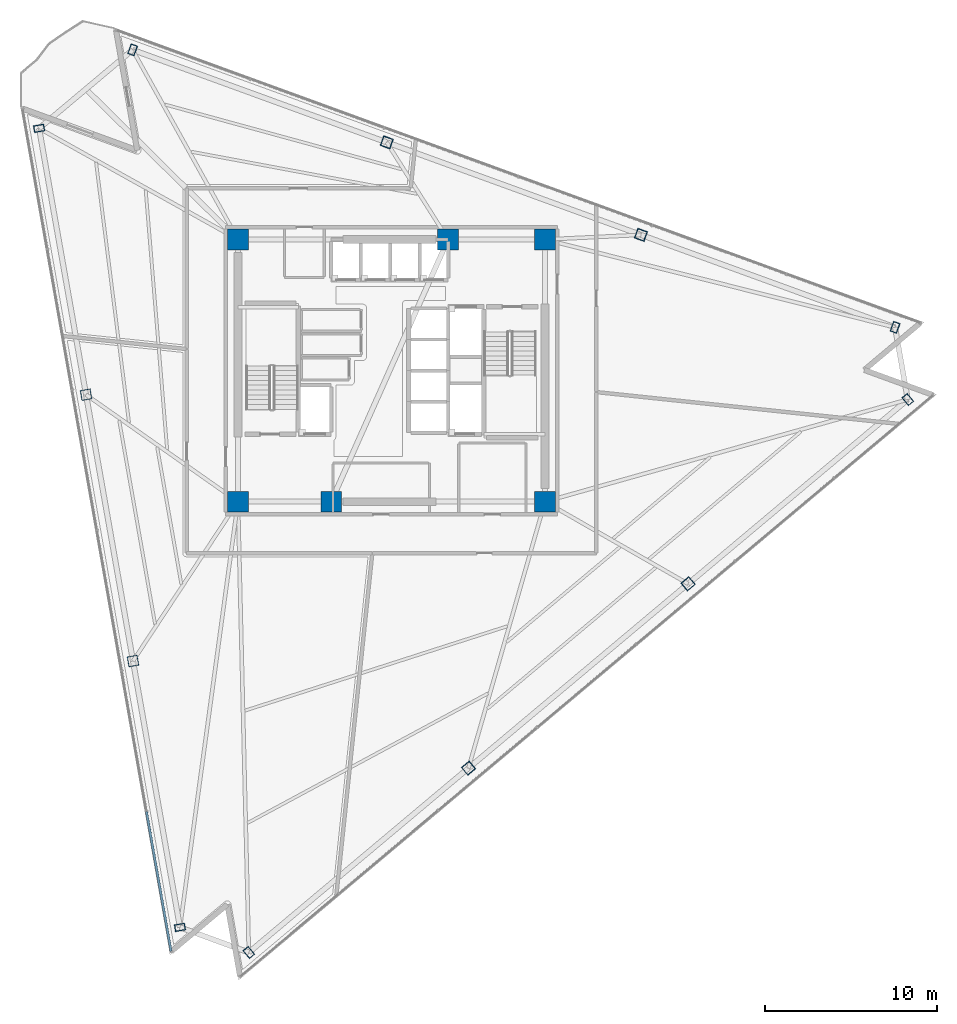
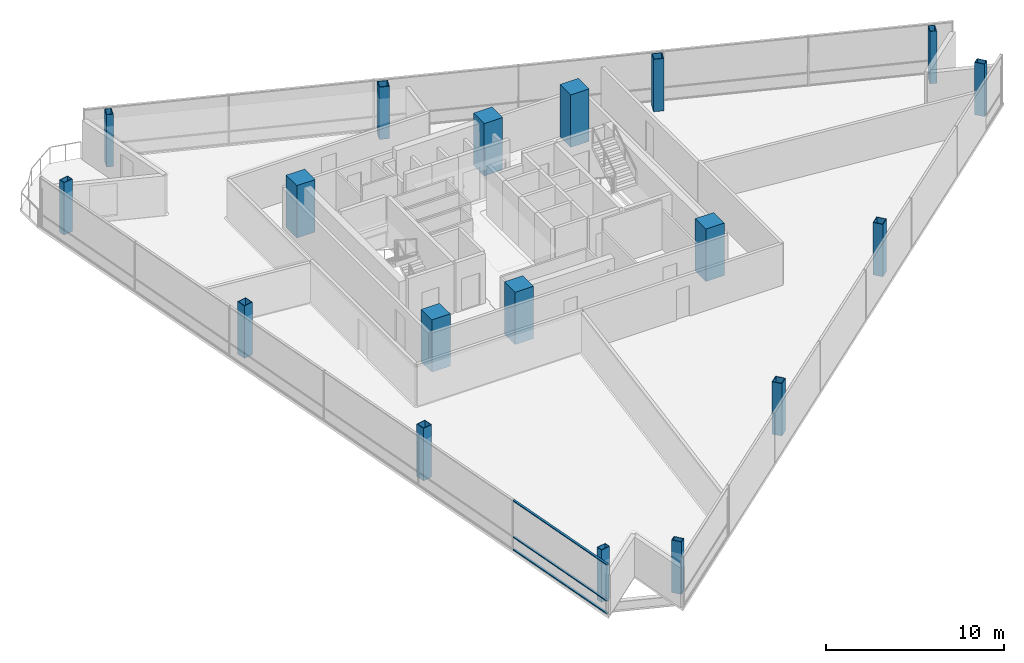
# One storey, part 1 of 17: 18 columns, 3 members, 1 element without a shape of its own.
"""IFC4 building model written with IfcOpenShell, lengths in metres."""

from ifc_helpers import new_model, si_unit, direction, frame, origin, origin_2d, place, context, subcontext, project, spatial, rectangle, hollow_rectangle, extrude, material, layer, layer_set, material_profile, profile_set, type_object, element, aggregate, save


model = new_model("IFC4")

# Units and contexts
model_context = context("Model", 3, precision=1e-05, world=origin(), true_north=direction((0.0, 1.0)))
body_context = subcontext(model_context, "Body", "Model", "MODEL_VIEW")
ifc_project = project(units=[si_unit("LENGTHUNIT", "METRE"), si_unit("AREAUNIT", "SQUARE_METRE"), si_unit("VOLUMEUNIT", "CUBIC_METRE"), si_unit("PLANEANGLEUNIT", "RADIAN"), si_unit("MASSUNIT", "GRAM", prefix="KILO")], contexts=[model_context])

# Site, building, storey
site_placement = place(None, origin())
site = spatial("IfcSite", under=ifc_project, at=site_placement, CompositionType="ELEMENT")
building_placement = place(site_placement, origin())
building = spatial("IfcBuilding", under=site, at=building_placement, Name="Tharavind Bronze Gate", CompositionType="ELEMENT")
storey_placement = place(building_placement, frame((0.0, 0.0, 184.89990234375)))
storey = spatial("IfcBuildingStorey", under=building, at=storey_placement, Name="L47", CompositionType="ELEMENT", Elevation=184.89990234375)

# Columns
ifc_material_1 = material(Name="Steel S460", Category="steel")
ifc_material_profile_1 = material_profile(ifc_material_1, hollow_rectangle(XDim=0.39990234375, YDim=0.60009765625, WallThickness=0.030029296875, at=origin_2d()), Name="RHS600X400X30")
ifc_profile_set_1 = profile_set([ifc_material_profile_1], Name="Steel S460")
column_type_1 = type_object("IfcColumnType", Name="CORNER NOTCH COLUMN RHS600X400", PredefinedType="COLUMN", material=ifc_profile_set_1)
for number, where, z_axis, x_axis, name in (
    (1, (-20.4326171875, 14.043212890625, 0.0), (0.0, 0.0, 1.0), (-0.173648177667, 0.984807753012, 0.0), "L47 perimeter column S1C1"),
    (2, (-12.263916015625, -32.2841796875, 0.0), (0.0, 0.0, 1.0), (-0.173648177667, 0.984807753012, 0.0), "L47 perimeter column S1C4"),
    (3, (-8.27197265625, -33.737060546875, 0.0), (0.0, 0.0, 1.0), (0.766043321242, 0.642788946685, 0.0), "L47 perimeter column S2C1"),
    (4, (29.933837890625, -1.6787109375, 0.0), (0.0, 0.0, 1.0), (0.766043321242, 0.642788946685, 0.0), "L47 perimeter column S2C4"),
    (5, (29.1962890625, 2.5048828125, 0.0), (0.0, 0.0, 1.0), (-0.939692023847, 0.342021783398, 0.0), "L47 perimeter column S3C1"),
    (6, (-15.0087890625, 18.59423828125, 0.0), (0.0, 0.0, 1.0), (-0.939692023847, 0.342021783398, 0.0), "L47 perimeter column S3C4"),
):
    element("IfcColumn", number, at=place(storey_placement, frame(where, z_axis=z_axis, x_axis=x_axis)), inside=storey, type_object=column_type_1, Name=name, PredefinedType="COLUMN", context=body_context, shape_type="SweptSolid", body=[
        extrude(hollow_rectangle(XDim=0.39990234375, YDim=0.60009765625, WallThickness=0.030029296875, at=origin_2d()), origin(), (0.0, 0.0, 1.0), 3.60009765625),
    ])
ifc_material_2 = material(Name="Concrete C60/75", Category="concrete")
ifc_material_profile_2 = material_profile(ifc_material_2, rectangle(XDim=1.199951171875, YDim=1.199951171875, at=origin_2d()), Name="RCCOL1200")
ifc_profile_set_2 = profile_set([ifc_material_profile_2], Name="Concrete C60/75")
column_type_2 = type_object("IfcColumnType", Name="MEGA CORE COLUMN 1200", PredefinedType="COLUMN", material=ifc_profile_set_2)
for number, where, z_axis, x_axis, name in (
    (7, (-8.89990234375, -7.60009765625, 0.0), (0.0, 0.0, 1.0), (1.0, 0.0, 0.0), "L47 core mega column MC1"),
    (8, (-3.5, -7.60009765625, 0.0), (0.0, 0.0, 1.0), (1.0, 0.0, 0.0), "L47 core mega column MC2"),
    (9, (8.89990234375, -7.60009765625, 0.0), (0.0, 0.0, 1.0), (1.0, 0.0, 0.0), "L47 core mega column MC3"),
    (10, (8.89990234375, 7.60009765625, 0.0), (0.0, 0.0, 1.0), (1.0, 0.0, 0.0), "L47 core mega column MC4"),
    (11, (3.280029296875, 7.60009765625, 0.0), (0.0, 0.0, 1.0), (1.0, 0.0, 0.0), "L47 core mega column MC5"),
    (12, (-8.89990234375, 7.60009765625, 0.0), (0.0, 0.0, 1.0), (1.0, 0.0, 0.0), "L47 core mega column MC6"),
):
    element("IfcColumn", number, at=place(storey_placement, frame(where, z_axis=z_axis, x_axis=x_axis)), inside=storey, type_object=column_type_2, Name=name, PredefinedType="COLUMN", context=body_context, shape_type="SweptSolid", body=[
        extrude(rectangle(XDim=1.199951171875, YDim=1.199951171875, at=origin_2d()), origin(), (0.0, 0.0, 1.0), 3.60009765625),
    ])
ifc_material_profile_3 = material_profile(ifc_material_1, hollow_rectangle(XDim=0.60009765625, YDim=0.60009765625, WallThickness=0.035888671875, at=origin_2d()), Name="SHS600X36")
ifc_profile_set_3 = profile_set([ifc_material_profile_3], Name="Steel S460")
column_type_3 = type_object("IfcColumnType", Name="PERIMETER BOX COLUMN SHS600", PredefinedType="COLUMN", material=ifc_profile_set_3)
for number, where, z_axis, x_axis, name in (
    (13, (-17.709716796875, -1.3994140625, 0.0), (0.0, 0.0, 1.0), (-0.173648177667, 0.984807753012, 0.0), "L47 perimeter column S1C2"),
    (14, (-14.98681640625, -16.841796875, 0.0), (0.0, 0.0, 1.0), (-0.173648177667, 0.984807753012, 0.0), "L47 perimeter column S1C3"),
    (15, (4.46337890625, -23.05078125, 0.0), (0.0, 0.0, 1.0), (0.766043321242, 0.642788946685, 0.0), "L47 perimeter column S2C2"),
    (16, (17.198486328125, -12.36474609375, 0.0), (0.0, 0.0, 1.0), (0.766043321242, 0.642788946685, 0.0), "L47 perimeter column S2C3"),
    (17, (14.461181640625, 7.867919921875, 0.0), (0.0, 0.0, 1.0), (-0.939692023847, 0.342021783398, 0.0), "L47 perimeter column S3C2"),
    (18, (-0.27392578125, 13.231201171875, 0.0), (0.0, 0.0, 1.0), (-0.939692023847, 0.342021783398, 0.0), "L47 perimeter column S3C3"),
):
    element("IfcColumn", number, at=place(storey_placement, frame(where, z_axis=z_axis, x_axis=x_axis)), inside=storey, type_object=column_type_3, Name=name, PredefinedType="COLUMN", context=body_context, shape_type="SweptSolid", body=[
        extrude(hollow_rectangle(XDim=0.60009765625, YDim=0.60009765625, WallThickness=0.035888671875, at=origin_2d()), origin(), (0.0, 0.0, 1.0), 3.60009765625),
    ])

# Curtain wall, members
ifc_material_3 = material(Name="Anodised Bronze Aluminium", Category="aluminium")
ifc_layer = layer(ifc_material_3, 0.219970703125)
ifc_layer_set = layer_set([ifc_layer], Name="Anodised Bronze Aluminium")
curtain_wall_type = type_object("IfcCurtainWallType", Name="UNITISED CURTAIN WALL MID OFFICE", PredefinedType="USERDEFINED", material=ifc_layer_set)
curtain_wall_placement = place(storey_placement, origin())
curtain_wall = element("IfcCurtainWall", 19, at=curtain_wall_placement, inside=storey, type_object=curtain_wall_type, Name="L47 unitised curtain wall mid office CW-L47-S1", ObjectType="UNITISED CURTAIN WALL", PredefinedType="USERDEFINED")
member_type = type_object("IfcMemberType", Name="CURTAIN WALL BRONZE TRANSOM 65X140", PredefinedType="USERDEFINED", material=ifc_material_3)
member_1_placement = place(storey_placement, frame((-13.4951171875, -29.6201171875, 0.000244140625), z_axis=(0.0, 0.0, 1.0), x_axis=(0.173648177667, -0.984807753012, 0.0)))
member_1 = element("IfcMember", 20, at=member_1_placement, type_object=member_type, Name="CW-L47-S1 transom TB6", ObjectType="TRANSOM", PredefinedType="USERDEFINED", context=body_context, shape_type="SweptSolid", body=[
    extrude(rectangle(XDim=8.220458984375, YDim=0.139892578125, at=origin_2d()), origin(), (0.0, 0.0, 1.0), 0.06494140625),
])
member_2_placement = place(storey_placement, frame((-13.4951171875, -29.6201171875, 0.86767578125), z_axis=(0.0, 0.0, 1.0), x_axis=(0.173648177667, -0.984807753012, 0.0)))
member_2 = element("IfcMember", 21, at=member_2_placement, type_object=member_type, Name="CW-L47-S1 transom TS6", ObjectType="TRANSOM", PredefinedType="USERDEFINED", context=body_context, shape_type="SweptSolid", body=[
    extrude(rectangle(XDim=8.220458984375, YDim=0.139892578125, at=origin_2d()), origin(), (0.0, 0.0, 1.0), 0.06494140625),
])
member_3_placement = place(storey_placement, frame((-13.4951171875, -29.6201171875, 3.355224609375), z_axis=(0.0, 0.0, 1.0), x_axis=(0.173648177667, -0.984807753012, 0.0)))
member_3 = element("IfcMember", 22, at=member_3_placement, type_object=member_type, Name="CW-L47-S1 transom TT6", ObjectType="TRANSOM", PredefinedType="USERDEFINED", context=body_context, shape_type="SweptSolid", body=[
    extrude(rectangle(XDim=8.220458984375, YDim=0.139892578125, at=origin_2d()), origin(), (0.0, 0.0, 1.0), 0.06494140625),
])
aggregate(curtain_wall, [member_1, member_2, member_3])

save(model, "model.ifc")
